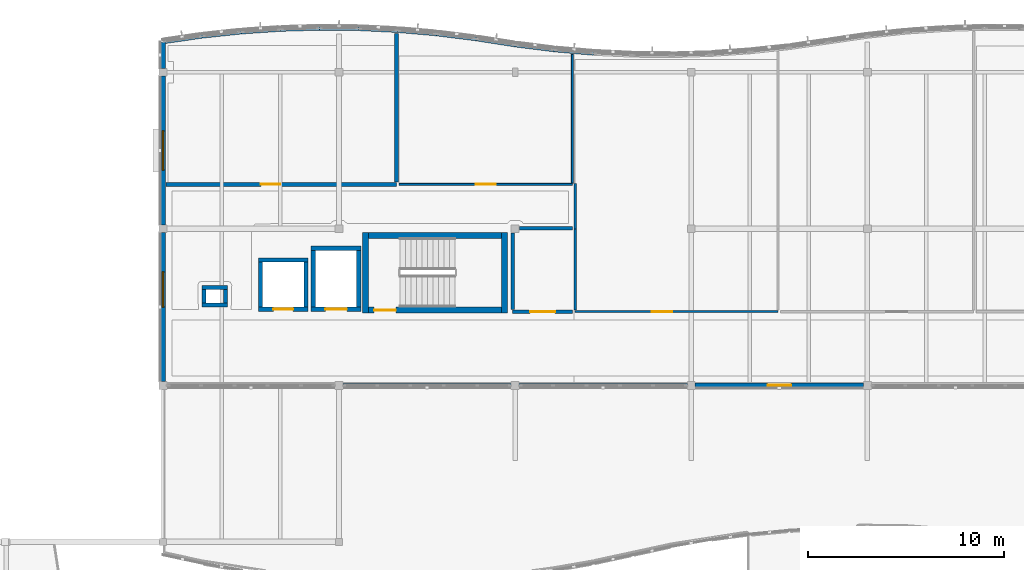
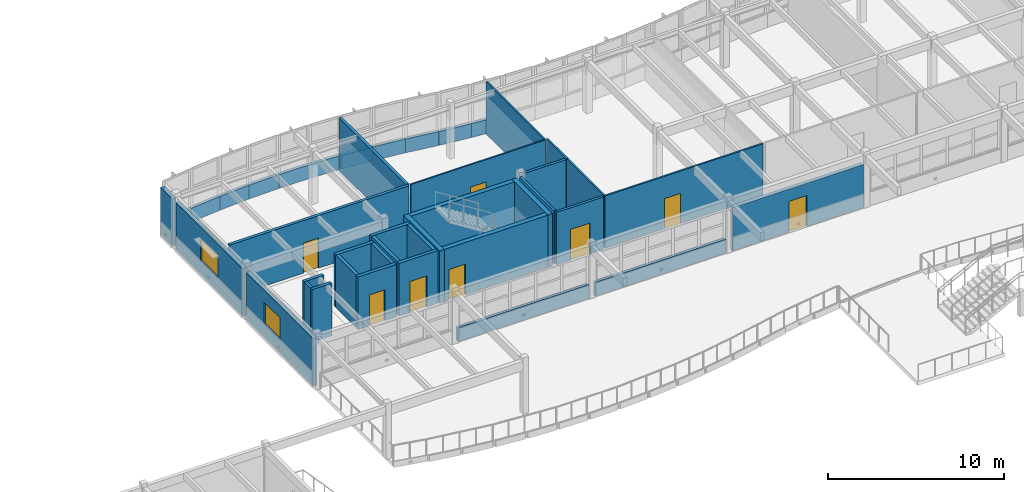
# One storey, part 40 of 63: 43 walls, 8 doors, 2 windows, 10 openings.
"""IFC4 building model written with IfcOpenShell, lengths in metres."""

from ifc_helpers import new_model, si_unit, direction, frame, frame_2d, origin, place, context, subcontext, project, spatial, rectangle, extrude, material, layer, layer_set, type_object, element, fill, save


model = new_model("IFC4")

# Units and contexts
model_context = context("Model", 3, precision=1e-05, world=origin(), true_north=direction((0.0, 1.0)))
body_context = subcontext(model_context, "Body", "Model", "MODEL_VIEW")
ifc_project = project(units=[si_unit("LENGTHUNIT", "METRE"), si_unit("AREAUNIT", "SQUARE_METRE"), si_unit("VOLUMEUNIT", "CUBIC_METRE"), si_unit("PLANEANGLEUNIT", "RADIAN"), si_unit("MASSUNIT", "GRAM", prefix="KILO")], contexts=[model_context])

# Site, building, storey
site_placement = place(None, origin())
site = spatial("IfcSite", under=ifc_project, at=site_placement, CompositionType="ELEMENT")
building_placement = place(site_placement, origin())
building = spatial("IfcBuilding", under=site, at=building_placement, Name="Tonlespit Floodbar School", CompositionType="ELEMENT")
storey_placement = place(building_placement, frame((0.0, 0.0, 8.39990234375)))
storey = spatial("IfcBuildingStorey", under=building, at=storey_placement, Name="L02", CompositionType="ELEMENT", Elevation=8.39990234375)

# Walls
ifc_material_1 = material(Name="Concrete C40/50", Category="concrete")
ifc_layer_1 = layer(ifc_material_1, 0.300048828125)
ifc_layer_set_1 = layer_set([ifc_layer_1], Name="Concrete C40/50")
wall_type_1 = type_object("IfcWallType", Name="CoreWall_RC_300", PredefinedType="SHEAR", material=ifc_layer_set_1)
for number, where, z_axis, x_axis, name in (
    (1, (54.35009765625, 107.699951171875, 0.0), (0.0, 0.0, 1.0), (0.0, 1.0, 0.0), "L02 core C1 shear wall NEAR"),
    (2, (61.449951171875, 111.800048828125, 0.0), (0.0, 0.0, 1.0), (0.0, -1.0, 0.0), "L02 core C1 shear wall FAR"),
):
    element("IfcWall", number, at=place(storey_placement, frame(where, z_axis=z_axis, x_axis=x_axis)), inside=storey, type_object=wall_type_1, Name=name, PredefinedType="SHEAR", context=body_context, shape_type="SweptSolid", body=[
        extrude(rectangle(XDim=4.10009765625, YDim=0.300048828125, at=frame_2d((2.050048828125, 0.0))), origin(), (0.0, 0.0, 1.0), 3.650146484375),
    ])

# Wall, opening, door
wall_1_placement = place(storey_placement, frame((54.5, 107.85009765625, 0.0), z_axis=(0.0, 0.0, 1.0), x_axis=(1.0, 0.0, 0.0)))
wall_1 = element("IfcWall", 3, at=wall_1_placement, inside=storey, type_object=wall_type_1, Name="L02 core C1 shear wall LEFT", PredefinedType="SHEAR", context=body_context, shape_type="SweptSolid", body=[
    extrude(rectangle(XDim=6.800048828125, YDim=0.300048828125, at=frame_2d((3.39990234375, 0.0))), origin(), (0.0, 0.0, 1.0), 3.650146484375),
])
opening_1_placement = place(wall_1_placement, frame((0.300048828125, 0.0, 0.0)))
opening_1 = element("IfcOpeningElement", 4, at=opening_1_placement, cuts=wall_1, Name="Opening FD1-C1-L02", PredefinedType="OPENING", context=body_context, shape_type="SweptSolid", body=[
    extrude(rectangle(XDim=1.10009765625, YDim=2.14990234375, at=frame_2d((0.550048828125, 1.074951171875))), frame((0.0, 0.159912109375, 0.0), z_axis=(0.0, -1.0, 0.0), x_axis=(1.0, 0.0, 0.0)), (0.0, 0.0, 1.0), 0.320068359375),
])
ifc_material_2 = material(Name="Galvanised Steel", Category="steel")
door_type_1 = type_object("IfcDoorType", Name="FireDoor_Stair_1100x2150", OperationType="NOTDEFINED", PredefinedType="DOOR", material=ifc_material_2)
door_1_placement = place(opening_1_placement, origin())
door_1 = element("IfcDoor", 5, at=door_1_placement, inside=storey, type_object=door_type_1, Name="L02 stair ST-C1 fire door", OperationType="SINGLE_SWING_LEFT", OverallHeight=2.14990234375, OverallWidth=1.10009765625, PredefinedType="DOOR", context=body_context, shape_type="SweptSolid", body=[
    extrude(rectangle(XDim=1.10009765625, YDim=2.14990234375, at=frame_2d((0.550048828125, 1.074951171875))), frame((0.0, 0.02490234375, 0.0), z_axis=(0.0, -1.0, 0.0), x_axis=(1.0, 0.0, 0.0)), (0.0, 0.0, 1.0), 0.050048828125),
])
fill(opening_1, door_1)

# Wall
wall_2_placement = place(storey_placement, frame((61.300048828125, 111.64990234375, 0.0), z_axis=(0.0, 0.0, 1.0), x_axis=(-1.0, 0.0, 0.0)))
element("IfcWall", 6, at=wall_2_placement, inside=storey, type_object=wall_type_1, Name="L02 core C1 shear wall RGHT", PredefinedType="SHEAR", context=body_context, shape_type="SweptSolid", body=[
    extrude(rectangle(XDim=6.800048828125, YDim=0.300048828125, at=frame_2d((3.39990234375, 0.0))), origin(), (0.0, 0.0, 1.0), 3.650146484375),
])

# Wall, opening, door
ifc_material_3 = material(Name="Precast concrete C40/50", Category="concrete")
ifc_layer_2 = layer(ifc_material_3, 0.239990234375)
ifc_layer_set_2 = layer_set([ifc_layer_2], Name="Precast concrete C40/50")
wall_type_2 = type_object("IfcWallType", Name="ExtWall_Rainscreen_240", PredefinedType="SOLIDWALL", material=ifc_layer_set_2)
wall_3_placement = place(storey_placement, frame((79.800048828125, 104.0, 0.0), z_axis=(0.0, 0.0, 1.0), x_axis=(-1.0, 0.0, 0.0)))
wall_3 = element("IfcWall", 7, at=wall_3_placement, inside=storey, type_object=wall_type_2, Name="L02 external wall 0135", PredefinedType="SOLIDWALL", context=body_context, shape_type="SweptSolid", body=[
    extrude(rectangle(XDim=8.60009765625, YDim=0.239990234375, at=frame_2d((4.300048828125, 0.0))), origin(), (0.0, 0.0, 1.0), 3.008056640625),
])
opening_2_placement = place(wall_3_placement, frame((3.699951171875, 0.0, 0.0)))
opening_2 = element("IfcOpeningElement", 8, at=opening_2_placement, cuts=wall_3, Name="Opening D-TR-007", PredefinedType="OPENING", context=body_context, shape_type="SweptSolid", body=[
    extrude(rectangle(XDim=1.199951171875, YDim=2.14990234375, at=frame_2d((0.60009765625, 1.074951171875))), frame((0.0, 0.1298828125, 0.0), z_axis=(0.0, -1.0, 0.0), x_axis=(1.0, 0.0, 0.0)), (0.0, 0.0, 1.0), 0.260009765625),
])
ifc_material_4 = material(Name="Anodised Aluminium", Category="aluminium")
door_type_2 = type_object("IfcDoorType", Name="ExtDoor_Terrace_1200x2150", OperationType="NOTDEFINED", PredefinedType="DOOR", material=ifc_material_4)
door_2_placement = place(opening_2_placement, origin())
door_2 = element("IfcDoor", 9, at=door_2_placement, inside=storey, type_object=door_type_2, Name="L02 exterior door D-TR-007", OperationType="SINGLE_SWING_LEFT", OverallHeight=2.14990234375, OverallWidth=1.199951171875, PredefinedType="DOOR", context=body_context, shape_type="SweptSolid", body=[
    extrude(rectangle(XDim=1.199951171875, YDim=2.14990234375, at=frame_2d((0.60009765625, 1.074951171875))), frame((0.0, 0.02490234375, 0.0), z_axis=(0.0, -1.0, 0.0), x_axis=(1.0, 0.0, 0.0)), (0.0, 0.0, 1.0), 0.050048828125),
])
fill(opening_2, door_2)

# Wall, opening, window
wall_4_placement = place(storey_placement, frame((44.0, 104.199951171875, 0.0), z_axis=(0.0, 0.0, 1.0), x_axis=(0.0, 1.0, 0.0)))
wall_4 = element("IfcWall", 10, at=wall_4_placement, inside=storey, type_object=wall_type_2, Name="L02 external wall 0139", PredefinedType="SOLIDWALL", context=body_context, shape_type="SweptSolid", body=[
    extrude(rectangle(XDim=7.60009765625, YDim=0.239990234375, at=frame_2d((3.800048828125, 0.0))), origin(), (0.0, 0.0, 1.0), 3.2900390625),
])
opening_3_placement = place(wall_4_placement, frame((3.800048828125, 0.0, 0.949951171875)))
opening_3 = element("IfcOpeningElement", 11, at=opening_3_placement, cuts=wall_4, Name="Opening W-L02-005", PredefinedType="OPENING", context=body_context, shape_type="SweptSolid", body=[
    extrude(rectangle(XDim=1.800048828125, YDim=1.5, at=frame_2d((0.89990234375, 0.75))), frame((0.0, 0.1298828125, 0.0), z_axis=(0.0, -1.0, 0.0), x_axis=(1.0, 0.0, 0.0)), (0.0, 0.0, 1.0), 0.260009765625),
])
ifc_material_5 = material(Name="Tempered Double Glazing", Category="glass")
window_type_1 = type_object("IfcWindowType", Name="Win_Mod_1800x1500", PartitioningType="DOUBLE_PANEL_VERTICAL", PredefinedType="WINDOW", material=ifc_material_5)
window_1_placement = place(opening_3_placement, origin())
window_1 = element("IfcWindow", 12, at=window_1_placement, inside=storey, type_object=window_type_1, Name="L02 window W-L02-005", OverallHeight=1.5, OverallWidth=1.800048828125, PartitioningType="DOUBLE_PANEL_VERTICAL", PredefinedType="WINDOW", context=body_context, shape_type="SweptSolid", body=[
    extrude(rectangle(XDim=1.800048828125, YDim=1.5, at=frame_2d((0.89990234375, 0.75))), frame((0.0, 0.030029296875, 0.0), z_axis=(0.0, -1.0, 0.0), x_axis=(1.0, 0.0, 0.0)), (0.0, 0.0, 1.0), 0.06005859375),
])
fill(opening_3, window_1)

wall_5_placement = place(storey_placement, frame((44.0, 112.199951171875, 0.0), z_axis=(0.0, 0.0, 1.0), x_axis=(0.0, 1.0, 0.0)))
wall_5 = element("IfcWall", 13, at=wall_5_placement, inside=storey, type_object=wall_type_2, Name="L02 external wall 0140", PredefinedType="SOLIDWALL", context=body_context, shape_type="SweptSolid", body=[
    extrude(rectangle(XDim=7.60009765625, YDim=0.239990234375, at=frame_2d((3.800048828125, 0.0))), origin(), (0.0, 0.0, 1.0), 3.2900390625),
])
opening_4_placement = place(wall_5_placement, frame((2.800048828125, 0.0, 0.949951171875)))
opening_4 = element("IfcOpeningElement", 14, at=opening_4_placement, cuts=wall_5, Name="Opening W-L02-006", PredefinedType="OPENING", context=body_context, shape_type="SweptSolid", body=[
    extrude(rectangle(XDim=2.0, YDim=1.5, at=frame_2d((1.0, 0.75))), frame((0.0, 0.1298828125, 0.0), z_axis=(0.0, -1.0, 0.0), x_axis=(1.0, 0.0, 0.0)), (0.0, 0.0, 1.0), 0.260009765625),
])
window_type_2 = type_object("IfcWindowType", Name="Win_Mod_2000x1500", PartitioningType="DOUBLE_PANEL_VERTICAL", PredefinedType="WINDOW", material=ifc_material_5)
window_2_placement = place(opening_4_placement, origin())
window_2 = element("IfcWindow", 15, at=window_2_placement, inside=storey, type_object=window_type_2, Name="L02 window W-L02-006", OverallHeight=1.5, OverallWidth=2.0, PartitioningType="DOUBLE_PANEL_VERTICAL", PredefinedType="WINDOW", context=body_context, shape_type="SweptSolid", body=[
    extrude(rectangle(XDim=2.0, YDim=1.5, at=frame_2d((1.0, 0.75))), frame((0.0, 0.030029296875, 0.0), z_axis=(0.0, -1.0, 0.0), x_axis=(1.0, 0.0, 0.0)), (0.0, 0.0, 1.0), 0.06005859375),
])
fill(opening_4, window_2)

# Walls
wall_6_placement = place(storey_placement, frame((44.0, 120.199951171875, 0.0), z_axis=(0.0, 0.0, 1.0), x_axis=(0.0, 1.0, 0.0)))
element("IfcWall", 16, at=wall_6_placement, inside=storey, type_object=wall_type_2, Name="L02 external wall 0141", PredefinedType="SOLIDWALL", context=body_context, shape_type="SweptSolid", body=[
    extrude(rectangle(XDim=1.35009765625, YDim=0.239990234375, at=frame_2d((0.675048828125, 0.0))), origin(), (0.0, 0.0, 1.0), 3.2900390625),
])
ifc_material_6 = material(Name="White Architectural Precast concrete C40/50", Category="concrete")
ifc_layer_3 = layer(ifc_material_6, 0.199951171875)
ifc_layer_set_3 = layer_set([ifc_layer_3], Name="White Architectural Precast concrete C40/50")
wall_type_3 = type_object("IfcWallType", Name="ExtWall_Spandrel_White_200", PredefinedType="SOLIDWALL", material=ifc_layer_set_3)
wall_7_placement = place(storey_placement, frame((44.0, 121.550048828125, 0.0), z_axis=(0.0, 0.0, 1.0), x_axis=(0.989544477223, 0.144228040259, 0.0)))
element("IfcWall", 17, at=wall_7_placement, inside=storey, type_object=wall_type_3, Name="L02 spandrel wall 0095", PredefinedType="SOLIDWALL", context=body_context, shape_type="SweptSolid", body=[
    extrude(rectangle(XDim=2.021240234375, YDim=0.199951171875, at=frame_2d((1.0107421875, 0.0))), origin(), (0.0, 0.0, 1.0), 0.9501953125),
])
wall_8_placement = place(storey_placement, frame((46.0, 121.841552734375, 0.0), z_axis=(0.0, 0.0, 1.0), x_axis=(0.994395160059, 0.105727317433, 0.0)))
element("IfcWall", 18, at=wall_8_placement, inside=storey, type_object=wall_type_3, Name="L02 spandrel wall 0096", PredefinedType="SOLIDWALL", context=body_context, shape_type="SweptSolid", body=[
    extrude(rectangle(XDim=2.01123046875, YDim=0.199951171875, at=frame_2d((1.005615234375, 0.0))), origin(), (0.0, 0.0, 1.0), 0.9501953125),
])
wall_9_placement = place(storey_placement, frame((48.0, 122.05419921875, 0.0), z_axis=(0.0, 0.0, 1.0), x_axis=(0.997729302978, 0.067351599676, 0.0)))
element("IfcWall", 19, at=wall_9_placement, inside=storey, type_object=wall_type_3, Name="L02 spandrel wall 0097", PredefinedType="SOLIDWALL", context=body_context, shape_type="SweptSolid", body=[
    extrude(rectangle(XDim=2.004638671875, YDim=0.199951171875, at=frame_2d((1.00244140625, 0.0))), origin(), (0.0, 0.0, 1.0), 0.9501953125),
])
wall_10_placement = place(storey_placement, frame((50.0, 122.189208984375, 0.0), z_axis=(0.0, 0.0, 1.0), x_axis=(0.999581770858, 0.028918564416, 0.0)))
element("IfcWall", 20, at=wall_10_placement, inside=storey, type_object=wall_type_3, Name="L02 spandrel wall 0098", PredefinedType="SOLIDWALL", context=body_context, shape_type="SweptSolid", body=[
    extrude(rectangle(XDim=2.000732421875, YDim=0.199951171875, at=frame_2d((1.00048828125, 0.0))), origin(), (0.0, 0.0, 1.0), 0.9501953125),
])
wall_11_placement = place(storey_placement, frame((52.0, 122.2470703125, 0.0), z_axis=(0.0, 0.0, 1.0), x_axis=(0.999953504169, -0.009643106302, 0.0)))
element("IfcWall", 21, at=wall_11_placement, inside=storey, type_object=wall_type_3, Name="L02 spandrel wall 0099", PredefinedType="SOLIDWALL", context=body_context, shape_type="SweptSolid", body=[
    extrude(rectangle(XDim=2.0, YDim=0.199951171875, at=frame_2d((1.0, 0.0))), origin(), (0.0, 0.0, 1.0), 0.9501953125),
])
wall_12_placement = place(storey_placement, frame((54.0, 122.227783203125, 0.0), z_axis=(0.0, 0.0, 1.0), x_axis=(0.99884540439, -0.048040172037, 0.0)))
element("IfcWall", 22, at=wall_12_placement, inside=storey, type_object=wall_type_3, Name="L02 spandrel wall 0100", PredefinedType="SOLIDWALL", context=body_context, shape_type="SweptSolid", body=[
    extrude(rectangle(XDim=2.002197265625, YDim=0.199951171875, at=frame_2d((1.0009765625, 0.0))), origin(), (0.0, 0.0, 1.0), 0.9501953125),
])
wall_13_placement = place(storey_placement, frame((56.0, 122.131591796875, 0.0), z_axis=(0.0, 0.0, 1.0), x_axis=(0.996244237948, -0.086587633962, 0.0)))
element("IfcWall", 23, at=wall_13_placement, inside=storey, type_object=wall_type_3, Name="L02 spandrel wall 0101", PredefinedType="SOLIDWALL", context=body_context, shape_type="SweptSolid", body=[
    extrude(rectangle(XDim=2.007568359375, YDim=0.199951171875, at=frame_2d((1.00390625, 0.0))), origin(), (0.0, 0.0, 1.0), 0.9501953125),
])
wall_14_placement = place(storey_placement, frame((58.0, 121.957763671875, 0.0), z_axis=(0.0, 0.0, 1.0), x_axis=(0.992158168336, -0.124988675503, 0.0)))
element("IfcWall", 24, at=wall_14_placement, inside=storey, type_object=wall_type_3, Name="L02 spandrel wall 0102", PredefinedType="SOLIDWALL", context=body_context, shape_type="SweptSolid", body=[
    extrude(rectangle(XDim=2.015869140625, YDim=0.199951171875, at=frame_2d((1.0078125, 0.0))), origin(), (0.0, 0.0, 1.0), 0.9501953125),
])
wall_15_placement = place(storey_placement, frame((60.0, 121.705810546875, 0.0), z_axis=(0.0, 0.0, 1.0), x_axis=(0.988085509852, -0.153905897287, 0.0)))
element("IfcWall", 25, at=wall_15_placement, inside=storey, type_object=wall_type_3, Name="L02 spandrel wall 0103", PredefinedType="SOLIDWALL", context=body_context, shape_type="SweptSolid", body=[
    extrude(rectangle(XDim=2.024169921875, YDim=0.199951171875, at=frame_2d((1.01220703125, 0.0))), origin(), (0.0, 0.0, 1.0), 0.9501953125),
])
wall_16_placement = place(storey_placement, frame((62.0, 121.394287109375, 0.0), z_axis=(0.0, 0.0, 1.0), x_axis=(0.992158168336, -0.124988675503, 0.0)))
element("IfcWall", 26, at=wall_16_placement, inside=storey, type_object=wall_type_3, Name="L02 spandrel wall 0104", PredefinedType="SOLIDWALL", context=body_context, shape_type="SweptSolid", body=[
    extrude(rectangle(XDim=2.015869140625, YDim=0.199951171875, at=frame_2d((1.0078125, 0.0))), origin(), (0.0, 0.0, 1.0), 0.9501953125),
])
wall_17_placement = place(storey_placement, frame((64.0, 121.142333984375, 0.0), z_axis=(0.0, 0.0, 1.0), x_axis=(0.996244237948, -0.086587633962, 0.0)))
element("IfcWall", 27, at=wall_17_placement, inside=storey, type_object=wall_type_3, Name="L02 spandrel wall 0105", PredefinedType="SOLIDWALL", context=body_context, shape_type="SweptSolid", body=[
    extrude(rectangle(XDim=2.007568359375, YDim=0.199951171875, at=frame_2d((1.00390625, 0.0))), origin(), (0.0, 0.0, 1.0), 0.9501953125),
])
for number, where, z_axis, x_axis, name in (
    (28, (70.800048828125, 104.0, 0.0), (0.0, 0.0, 1.0), (-1.0, 0.0, 0.0), "L02 spandrel wall 0136"),
    (29, (61.800048828125, 104.0, 0.0), (0.0, 0.0, 1.0), (-1.0, 0.0, 0.0), "L02 spandrel wall 0137"),
):
    element("IfcWall", number, at=place(storey_placement, frame(where, z_axis=z_axis, x_axis=x_axis)), inside=storey, type_object=wall_type_3, Name=name, PredefinedType="SOLIDWALL", context=body_context, shape_type="SweptSolid", body=[
        extrude(rectangle(XDim=8.60009765625, YDim=0.199951171875, at=frame_2d((4.300048828125, 0.0))), origin(), (0.0, 0.0, 1.0), 0.9501953125),
    ])
ifc_layer_4 = layer(ifc_material_1, 0.199951171875)
ifc_layer_set_4 = layer_set([ifc_layer_4], Name="Concrete C40/50")
wall_type_4 = type_object("IfcWallType", Name="FireWall_Plant_200", PredefinedType="PARTITIONING", material=ifc_layer_set_4)
for number, where, z_axis, x_axis, name in (
    (30, (47.300048828125, 108.10009765625, 0.0), (0.0, 0.0, 1.0), (-1.0, 0.0, 0.0), "L02 service riser 01 wall S"),
    (31, (46.0, 109.0, 0.0), (0.0, 0.0, 1.0), (1.0, 0.0, 0.0), "L02 service riser 01 wall N"),
):
    element("IfcWall", number, at=place(storey_placement, frame(where, z_axis=z_axis, x_axis=x_axis)), inside=storey, type_object=wall_type_4, Name=name, PredefinedType="PARTITIONING", context=body_context, shape_type="SweptSolid", body=[
        extrude(rectangle(XDim=1.300048828125, YDim=0.199951171875, at=frame_2d((0.64990234375, 0.0))), origin(), (0.0, 0.0, 1.0), 3.650146484375),
    ])
wall_18_placement = place(storey_placement, frame((46.10009765625, 108.199951171875, 0.0), z_axis=(0.0, 0.0, 1.0), x_axis=(0.0, 1.0, 0.0)))
element("IfcWall", 32, at=wall_18_placement, inside=storey, type_object=wall_type_4, Name="L02 service riser 01 wall W", PredefinedType="PARTITIONING", context=body_context, shape_type="SweptSolid", body=[
    extrude(rectangle(XDim=0.699951171875, YDim=0.199951171875, at=frame_2d((0.35009765625, 0.0))), origin(), (0.0, 0.0, 1.0), 3.650146484375),
])
wall_19_placement = place(storey_placement, frame((47.199951171875, 108.89990234375, 0.0), z_axis=(0.0, 0.0, 1.0), x_axis=(0.0, -1.0, 0.0)))
element("IfcWall", 33, at=wall_19_placement, inside=storey, type_object=wall_type_4, Name="L02 service riser 01 wall E", PredefinedType="PARTITIONING", context=body_context, shape_type="SweptSolid", body=[
    extrude(rectangle(XDim=0.699951171875, YDim=0.199951171875, at=frame_2d((0.35009765625, 0.0))), origin(), (0.0, 0.0, 1.0), 3.248046875),
])

# Wall, opening, door
ifc_material_7 = material(Name="Gypsum Plasterboard Partition")
ifc_layer_5 = layer(ifc_material_7, 0.10009765625)
ifc_layer_set_5 = layer_set([ifc_layer_5], Name="Gypsum Plasterboard Partition")
wall_type_5 = type_object("IfcWallType", Name="Partition_Gyp_100", PredefinedType="PARTITIONING", material=ifc_layer_set_5)
wall_20_placement = place(storey_placement, frame((56.070068359375, 114.27001953125, 0.0), z_axis=(0.0, 0.0, 1.0), x_axis=(1.0, 0.0, 0.0)))
wall_20 = element("IfcWall", 34, at=wall_20_placement, inside=storey, type_object=wall_type_5, Name="L02 partition wall 0062", PredefinedType="PARTITIONING", context=body_context, shape_type="SweptSolid", body=[
    extrude(rectangle(XDim=8.85986328125, YDim=0.10009765625, at=frame_2d((4.429931640625, 0.0))), origin(), (0.0, 0.0, 1.0), 3.650146484375),
])
opening_5_placement = place(wall_20_placement, frame((3.919921875, 0.0, 0.0)))
opening_5 = element("IfcOpeningElement", 35, at=opening_5_placement, cuts=wall_20, Name="Opening D-L02-020", PredefinedType="OPENING", context=body_context, shape_type="SweptSolid", body=[
    extrude(rectangle(XDim=1.02001953125, YDim=2.10009765625, at=frame_2d((0.510009765625, 1.050048828125))), frame((0.0, 0.06005859375, 0.0), z_axis=(0.0, -1.0, 0.0), x_axis=(1.0, 0.0, 0.0)), (0.0, 0.0, 1.0), 0.1201171875),
])
ifc_material_8 = material(Name="Hardwood Timber", Category="wood")
door_type_3 = type_object("IfcDoorType", Name="IntDoor_1020x2100", OperationType="NOTDEFINED", PredefinedType="DOOR", material=ifc_material_8)
door_3_placement = place(opening_5_placement, origin())
door_3 = element("IfcDoor", 36, at=door_3_placement, inside=storey, type_object=door_type_3, Name="L02 interior door D-L02-020", OperationType="SINGLE_SWING_LEFT", OverallHeight=2.10009765625, OverallWidth=1.02001953125, PredefinedType="DOOR", context=body_context, shape_type="SweptSolid", body=[
    extrude(rectangle(XDim=1.02001953125, YDim=2.10009765625, at=frame_2d((0.510009765625, 1.050048828125))), frame((0.0, 0.02490234375, 0.0), z_axis=(0.0, -1.0, 0.0), x_axis=(1.0, 0.0, 0.0)), (0.0, 0.0, 1.0), 0.050048828125),
])
fill(opening_5, door_3)

# Wall
wall_21_placement = place(storey_placement, frame((64.929931640625, 114.3349609375, 0.0), z_axis=(0.0, 0.0, 1.0), x_axis=(0.0, 1.0, 0.0)))
element("IfcWall", 37, at=wall_21_placement, inside=storey, type_object=wall_type_5, Name="L02 partition wall 0063", PredefinedType="PARTITIONING", context=body_context, shape_type="SweptSolid", body=[
    extrude(rectangle(XDim=6.58447265625, YDim=0.10009765625, at=frame_2d((3.292236328125, 0.0))), origin(), (0.0, 0.0, 1.0), 3.650146484375),
])

# Wall, opening, door
ifc_layer_6 = layer(ifc_material_7, 0.110107421875)
ifc_layer_set_6 = layer_set([ifc_layer_6], Name="Gypsum Plasterboard Partition")
wall_type_6 = type_object("IfcWallType", Name="Partition_Gyp_110", PredefinedType="PARTITIONING", material=ifc_layer_set_6)
wall_22_placement = place(storey_placement, frame((65.070068359375, 107.77001953125, 0.0), z_axis=(0.0, 0.0, 1.0), x_axis=(1.0, 0.0, 0.0)))
wall_22 = element("IfcWall", 38, at=wall_22_placement, inside=storey, type_object=wall_type_6, Name="L02 partition wall 0064", PredefinedType="PARTITIONING", context=body_context, shape_type="SweptSolid", body=[
    extrude(rectangle(XDim=10.35986328125, YDim=0.110107421875, at=frame_2d((5.179931640625, 0.0))), origin(), (0.0, 0.0, 1.0), 3.650146484375),
])
opening_6_placement = place(wall_22_placement, frame((3.905029296875, 0.0, 0.0)))
opening_6 = element("IfcOpeningElement", 39, at=opening_6_placement, cuts=wall_22, Name="Opening D-L02-021", PredefinedType="OPENING", context=body_context, shape_type="SweptSolid", body=[
    extrude(rectangle(XDim=1.050048828125, YDim=2.10009765625, at=frame_2d((0.52490234375, 1.050048828125))), frame((0.0, 0.06494140625, 0.0), z_axis=(0.0, -1.0, 0.0), x_axis=(1.0, 0.0, 0.0)), (0.0, 0.0, 1.0), 0.130126953125),
])
door_type_4 = type_object("IfcDoorType", Name="IntDoor_1050x2100", OperationType="NOTDEFINED", PredefinedType="DOOR", material=ifc_material_8)
door_4_placement = place(opening_6_placement, origin())
door_4 = element("IfcDoor", 40, at=door_4_placement, inside=storey, type_object=door_type_4, Name="L02 interior door D-L02-021", OperationType="SINGLE_SWING_RIGHT", OverallHeight=2.10009765625, OverallWidth=1.050048828125, PredefinedType="DOOR", context=body_context, shape_type="SweptSolid", body=[
    extrude(rectangle(XDim=1.050048828125, YDim=2.10009765625, at=frame_2d((0.52490234375, 1.050048828125))), frame((0.0, 0.02490234375, 0.0), z_axis=(0.0, -1.0, 0.0), x_axis=(1.0, 0.0, 0.0)), (0.0, 0.0, 1.0), 0.050048828125),
])
fill(opening_6, door_4)

# Walls
wall_23_placement = place(storey_placement, frame((65.070068359375, 107.840087890625, 0.0), z_axis=(0.0, 0.0, 1.0), x_axis=(0.0, 1.0, 0.0)))
element("IfcWall", 41, at=wall_23_placement, inside=storey, type_object=wall_type_6, Name="L02 partition wall 0065", PredefinedType="PARTITIONING", context=body_context, shape_type="SweptSolid", body=[
    extrude(rectangle(XDim=4.159912109375, YDim=0.110107421875, at=frame_2d((2.080078125, 0.0))), origin(), (0.0, 0.0, 1.0), 3.650146484375),
])
wall_24_placement = place(storey_placement, frame((65.070068359375, 112.0, 0.0), z_axis=(0.0, 0.0, 1.0), x_axis=(0.0, 1.0, 0.0)))
element("IfcWall", 42, at=wall_24_placement, inside=storey, type_object=wall_type_6, Name="L02 partition wall 0066", PredefinedType="PARTITIONING", context=body_context, shape_type="SweptSolid", body=[
    extrude(rectangle(XDim=2.31494140625, YDim=0.110107421875, at=frame_2d((1.157470703125, 0.0))), origin(), (0.0, 0.0, 1.0), 3.650146484375),
])

# Wall, opening, door
ifc_layer_7 = layer(ifc_material_7, 0.169921875)
ifc_layer_set_7 = layer_set([ifc_layer_7], Name="Gypsum Plasterboard Partition")
wall_type_7 = type_object("IfcWallType", Name="Partition_Gyp_170", PredefinedType="PARTITIONING", material=ifc_layer_set_7)
wall_25_placement = place(storey_placement, frame((61.8701171875, 107.77001953125, 0.0), z_axis=(0.0, 0.0, 1.0), x_axis=(1.0, 0.0, 0.0)))
wall_25 = element("IfcWall", 43, at=wall_25_placement, inside=storey, type_object=wall_type_7, Name="L02 partition wall 0080", PredefinedType="PARTITIONING", context=body_context, shape_type="SweptSolid", body=[
    extrude(rectangle(XDim=3.059814453125, YDim=0.169921875, at=frame_2d((1.52978515625, 0.0))), origin(), (0.0, 0.0, 1.0), 3.650146484375),
])
opening_7_placement = place(wall_25_placement, frame((0.889892578125, 0.0, 0.0)))
opening_7 = element("IfcOpeningElement", 44, at=opening_7_placement, cuts=wall_25, Name="Opening D-L02-026", PredefinedType="OPENING", context=body_context, shape_type="SweptSolid", body=[
    extrude(rectangle(XDim=1.280029296875, YDim=2.14990234375, at=frame_2d((0.64013671875, 1.074951171875))), frame((0.0, 0.094970703125, 0.0), z_axis=(0.0, -1.0, 0.0), x_axis=(1.0, 0.0, 0.0)), (0.0, 0.0, 1.0), 0.18994140625),
])
door_type_5 = type_object("IfcDoorType", Name="IntDoor_1280x2150", OperationType="NOTDEFINED", PredefinedType="DOOR", material=ifc_material_8)
door_5_placement = place(opening_7_placement, origin())
door_5 = element("IfcDoor", 45, at=door_5_placement, inside=storey, type_object=door_type_5, Name="L02 interior door D-L02-026", OperationType="SINGLE_SWING_LEFT", OverallHeight=2.14990234375, OverallWidth=1.280029296875, PredefinedType="DOOR", context=body_context, shape_type="SweptSolid", body=[
    extrude(rectangle(XDim=1.280029296875, YDim=2.14990234375, at=frame_2d((0.64013671875, 1.074951171875))), frame((0.0, 0.02490234375, 0.0), z_axis=(0.0, -1.0, 0.0), x_axis=(1.0, 0.0, 0.0)), (0.0, 0.0, 1.0), 0.050048828125),
])
fill(opening_7, door_5)

# Walls
wall_26_placement = place(storey_placement, frame((62.215087890625, 112.030029296875, 0.0), z_axis=(0.0, 0.0, 1.0), x_axis=(1.0, 0.0, 0.0)))
element("IfcWall", 46, at=wall_26_placement, inside=storey, type_object=wall_type_7, Name="L02 partition wall 0081", PredefinedType="PARTITIONING", context=body_context, shape_type="SweptSolid", body=[
    extrude(rectangle(XDim=2.71484375, YDim=0.169921875, at=frame_2d((1.357421875, 0.0))), origin(), (0.0, 0.0, 1.0), 3.650146484375),
])
wall_27_placement = place(storey_placement, frame((61.8701171875, 107.8701171875, 0.0), z_axis=(0.0, 0.0, 1.0), x_axis=(0.0, 1.0, 0.0)))
element("IfcWall", 47, at=wall_27_placement, inside=storey, type_object=wall_type_7, Name="L02 partition wall 0082", PredefinedType="PARTITIONING", context=body_context, shape_type="SweptSolid", body=[
    extrude(rectangle(XDim=3.914794921875, YDim=0.169921875, at=frame_2d((1.95751953125, 0.0))), origin(), (0.0, 0.0, 1.0), 3.650146484375),
])

# Wall, opening, door
ifc_layer_8 = layer(ifc_material_7, 0.195068359375)
ifc_layer_set_8 = layer_set([ifc_layer_8], Name="Gypsum Plasterboard Partition")
wall_type_8 = type_object("IfcWallType", Name="Partition_Gyp_195", PredefinedType="PARTITIONING", material=ifc_layer_set_8)
wall_28_placement = place(storey_placement, frame((44.162109375, 114.27001953125, 0.0), z_axis=(0.0, 0.0, 1.0), x_axis=(1.0, 0.0, 0.0)))
wall_28 = element("IfcWall", 48, at=wall_28_placement, inside=storey, type_object=wall_type_8, Name="L02 partition wall 0060", PredefinedType="PARTITIONING", context=body_context, shape_type="SweptSolid", body=[
    extrude(rectangle(XDim=11.767822265625, YDim=0.195068359375, at=frame_2d((5.8837890625, 0.0))), origin(), (0.0, 0.0, 1.0), 3.650146484375),
])
opening_8_placement = place(wall_28_placement, frame((4.847900390625, 0.0, 0.0)))
opening_8 = element("IfcOpeningElement", 49, at=opening_8_placement, cuts=wall_28, Name="Opening D-L02-019", PredefinedType="OPENING", context=body_context, shape_type="SweptSolid", body=[
    extrude(rectangle(XDim=0.97998046875, YDim=2.10009765625, at=frame_2d((0.489990234375, 1.050048828125))), frame((0.0, 0.107421875, 0.0), z_axis=(0.0, -1.0, 0.0), x_axis=(1.0, 0.0, 0.0)), (0.0, 0.0, 1.0), 0.215087890625),
])
door_type_6 = type_object("IfcDoorType", Name="IntDoor_980x2100", OperationType="NOTDEFINED", PredefinedType="DOOR", material=ifc_material_8)
door_6_placement = place(opening_8_placement, origin())
door_6 = element("IfcDoor", 50, at=door_6_placement, inside=storey, type_object=door_type_6, Name="L02 interior door D-L02-019", OperationType="SINGLE_SWING_RIGHT", OverallHeight=2.10009765625, OverallWidth=0.97998046875, PredefinedType="DOOR", context=body_context, shape_type="SweptSolid", body=[
    extrude(rectangle(XDim=0.97998046875, YDim=2.10009765625, at=frame_2d((0.489990234375, 1.050048828125))), frame((0.0, 0.02490234375, 0.0), z_axis=(0.0, -1.0, 0.0), x_axis=(1.0, 0.0, 0.0)), (0.0, 0.0, 1.0), 0.050048828125),
])
fill(opening_8, door_6)

# Wall
wall_29_placement = place(storey_placement, frame((55.929931640625, 114.382568359375, 0.0), z_axis=(0.0, 0.0, 1.0), x_axis=(0.0, 1.0, 0.0)))
element("IfcWall", 51, at=wall_29_placement, inside=storey, type_object=wall_type_8, Name="L02 partition wall 0061", PredefinedType="PARTITIONING", context=body_context, shape_type="SweptSolid", body=[
    extrude(rectangle(XDim=7.6103515625, YDim=0.195068359375, at=frame_2d((3.80517578125, 0.0))), origin(), (0.0, 0.0, 1.0), 3.650146484375),
])

# Wall, opening, door
ifc_layer_9 = layer(ifc_material_1, 0.219970703125)
ifc_layer_set_9 = layer_set([ifc_layer_9], Name="Concrete C40/50")
wall_type_9 = type_object("IfcWallType", Name="ShaftWall_RC_220", PredefinedType="SHEAR", material=ifc_layer_set_9)
wall_30_placement = place(storey_placement, frame((54.1201171875, 107.889892578125, 0.0), z_axis=(0.0, 0.0, 1.0), x_axis=(-1.0, 0.0, 0.0)))
wall_30 = element("IfcWall", 52, at=wall_30_placement, inside=storey, type_object=wall_type_9, Name="L02 lift LF-FF1 shaft wall S", PredefinedType="SHEAR", context=body_context, shape_type="SweptSolid", body=[
    extrude(rectangle(XDim=2.5400390625, YDim=0.219970703125, at=frame_2d((1.27001953125, 0.0))), origin(), (0.0, 0.0, 1.0), 3.650146484375),
])
opening_9_placement = place(wall_30_placement, frame((0.719970703125, 0.0, 0.0)))
opening_9 = element("IfcOpeningElement", 53, at=opening_9_placement, cuts=wall_30, Name="Opening LD-LF-FF1-L02", PredefinedType="OPENING", context=body_context, shape_type="SweptSolid", body=[
    extrude(rectangle(XDim=1.10009765625, YDim=2.14990234375, at=frame_2d((0.550048828125, 1.074951171875))), frame((0.0, 0.119873046875, 0.0), z_axis=(0.0, -1.0, 0.0), x_axis=(1.0, 0.0, 0.0)), (0.0, 0.0, 1.0), 0.239990234375),
])
door_type_7 = type_object("IfcDoorType", Name="LiftDoor_FF_1100x2150", OperationType="DOUBLE_DOOR_SLIDING", PredefinedType="DOOR", material=ifc_material_2)
door_7_placement = place(opening_9_placement, origin())
door_7 = element("IfcDoor", 54, at=door_7_placement, inside=storey, type_object=door_type_7, Name="L02 lift LF-FF1 sliding landing door", OperationType="DOUBLE_DOOR_SLIDING", OverallHeight=2.14990234375, OverallWidth=1.10009765625, PredefinedType="DOOR", context=body_context, shape_type="SweptSolid", body=[
    extrude(rectangle(XDim=1.10009765625, YDim=2.14990234375, at=frame_2d((0.550048828125, 1.074951171875))), frame((0.0, 0.02490234375, 0.0), z_axis=(0.0, -1.0, 0.0), x_axis=(1.0, 0.0, 0.0)), (0.0, 0.0, 1.0), 0.050048828125),
])
fill(opening_9, door_7)

# Walls
wall_31_placement = place(storey_placement, frame((51.580078125, 111.010009765625, 0.0), z_axis=(0.0, 0.0, 1.0), x_axis=(1.0, 0.0, 0.0)))
element("IfcWall", 55, at=wall_31_placement, inside=storey, type_object=wall_type_9, Name="L02 lift LF-FF1 shaft wall N", PredefinedType="SHEAR", context=body_context, shape_type="SweptSolid", body=[
    extrude(rectangle(XDim=2.5400390625, YDim=0.219970703125, at=frame_2d((1.27001953125, 0.0))), origin(), (0.0, 0.0, 1.0), 3.650146484375),
])
for number, where, z_axis, x_axis, name in (
    (56, (51.68994140625, 108.0, 0.0), (0.0, 0.0, 1.0), (0.0, 1.0, 0.0), "L02 lift LF-FF1 shaft wall W"),
    (57, (54.010009765625, 110.89990234375, 0.0), (0.0, 0.0, 1.0), (0.0, -1.0, 0.0), "L02 lift LF-FF1 shaft wall E"),
):
    element("IfcWall", number, at=place(storey_placement, frame(where, z_axis=z_axis, x_axis=x_axis)), inside=storey, type_object=wall_type_9, Name=name, PredefinedType="SHEAR", context=body_context, shape_type="SweptSolid", body=[
        extrude(rectangle(XDim=2.89990234375, YDim=0.219970703125, at=frame_2d((1.449951171875, 0.0))), origin(), (0.0, 0.0, 1.0), 3.650146484375),
    ])

# Wall, opening, door
wall_32_placement = place(storey_placement, frame((51.419921875, 107.889892578125, 0.0), z_axis=(0.0, 0.0, 1.0), x_axis=(-1.0, 0.0, 0.0)))
wall_32 = element("IfcWall", 58, at=wall_32_placement, inside=storey, type_object=wall_type_9, Name="L02 lift LP-1 shaft wall S", PredefinedType="SHEAR", context=body_context, shape_type="SweptSolid", body=[
    extrude(rectangle(XDim=2.5400390625, YDim=0.219970703125, at=frame_2d((1.27001953125, 0.0))), origin(), (0.0, 0.0, 1.0), 3.650146484375),
])
opening_10_placement = place(wall_32_placement, frame((0.77001953125, 0.0, 0.0)))
opening_10 = element("IfcOpeningElement", 59, at=opening_10_placement, cuts=wall_32, Name="Opening LD-LP-1-L02", PredefinedType="OPENING", context=body_context, shape_type="SweptSolid", body=[
    extrude(rectangle(XDim=1.0, YDim=2.14990234375, at=frame_2d((0.5, 1.074951171875))), frame((0.0, 0.119873046875, 0.0), z_axis=(0.0, -1.0, 0.0), x_axis=(1.0, 0.0, 0.0)), (0.0, 0.0, 1.0), 0.239990234375),
])
door_type_8 = type_object("IfcDoorType", Name="LiftDoor_Pass_1000x2150", OperationType="DOUBLE_DOOR_SLIDING", PredefinedType="DOOR", material=ifc_material_4)
door_8_placement = place(opening_10_placement, origin())
door_8 = element("IfcDoor", 60, at=door_8_placement, inside=storey, type_object=door_type_8, Name="L02 lift LP-1 sliding landing door", OperationType="DOUBLE_DOOR_SLIDING", OverallHeight=2.14990234375, OverallWidth=1.0, PredefinedType="DOOR", context=body_context, shape_type="SweptSolid", body=[
    extrude(rectangle(XDim=1.0, YDim=2.14990234375, at=frame_2d((0.5, 1.074951171875))), frame((0.0, 0.02490234375, 0.0), z_axis=(0.0, -1.0, 0.0), x_axis=(1.0, 0.0, 0.0)), (0.0, 0.0, 1.0), 0.050048828125),
])
fill(opening_10, door_8)

# Walls
wall_33_placement = place(storey_placement, frame((48.8798828125, 110.409912109375, 0.0), z_axis=(0.0, 0.0, 1.0), x_axis=(1.0, 0.0, 0.0)))
element("IfcWall", 61, at=wall_33_placement, inside=storey, type_object=wall_type_9, Name="L02 lift LP-1 shaft wall N", PredefinedType="SHEAR", context=body_context, shape_type="SweptSolid", body=[
    extrude(rectangle(XDim=2.5400390625, YDim=0.219970703125, at=frame_2d((1.27001953125, 0.0))), origin(), (0.0, 0.0, 1.0), 3.650146484375),
])
for number, where, z_axis, x_axis, name in (
    (62, (48.989990234375, 108.0, 0.0), (0.0, 0.0, 1.0), (0.0, 1.0, 0.0), "L02 lift LP-1 shaft wall W"),
    (63, (51.31005859375, 110.300048828125, 0.0), (0.0, 0.0, 1.0), (0.0, -1.0, 0.0), "L02 lift LP-1 shaft wall E"),
):
    element("IfcWall", number, at=place(storey_placement, frame(where, z_axis=z_axis, x_axis=x_axis)), inside=storey, type_object=wall_type_9, Name=name, PredefinedType="SHEAR", context=body_context, shape_type="SweptSolid", body=[
        extrude(rectangle(XDim=2.300048828125, YDim=0.219970703125, at=frame_2d((1.14990234375, 0.0))), origin(), (0.0, 0.0, 1.0), 3.650146484375),
    ])

save(model, "model.ifc")
